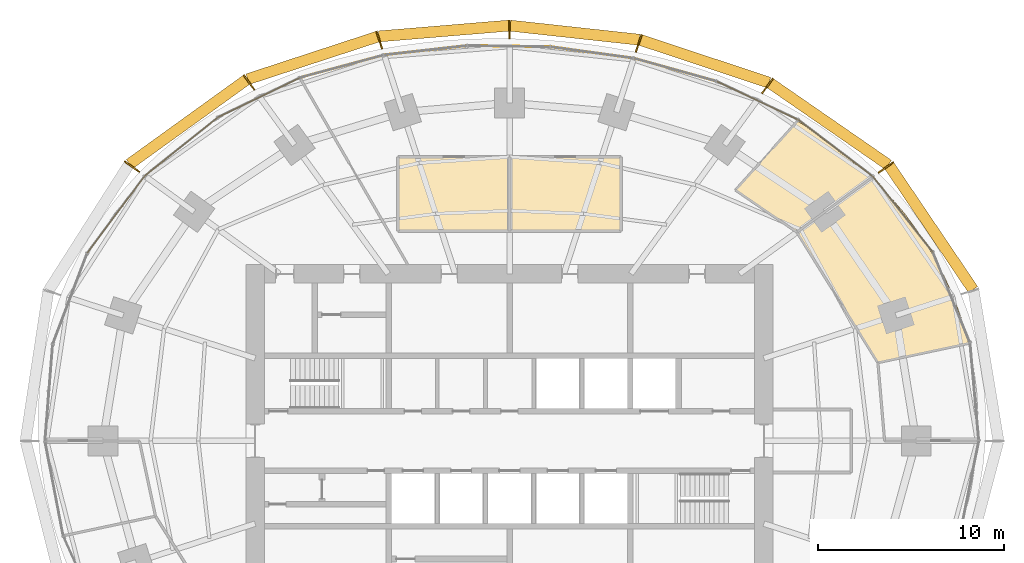
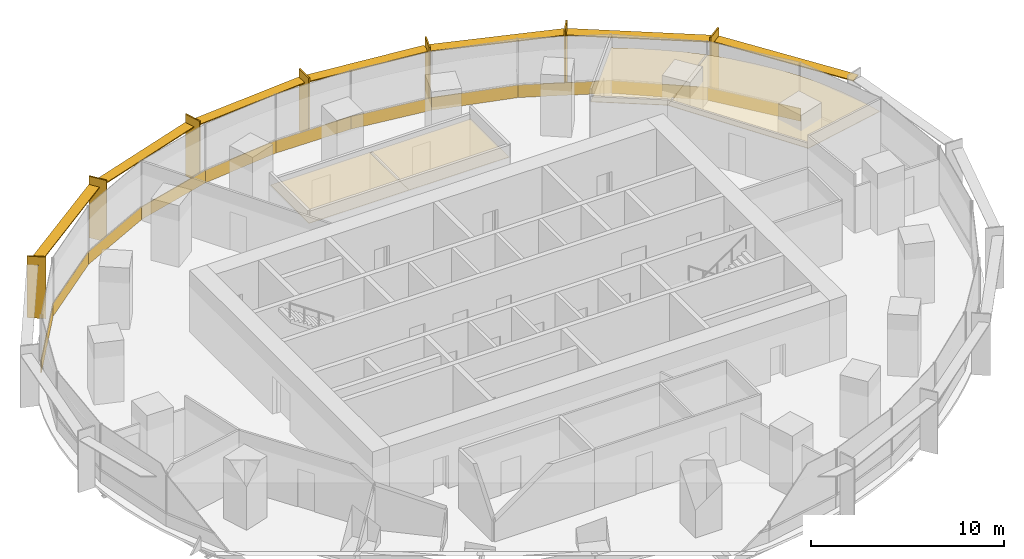
# One storey, part 14 of 14: 15 coverings, 14 shading devices.
"""IFC4 building model written with IfcOpenShell, lengths in metres."""

from ifc_helpers import new_model, si_unit, direction, frame, origin, origin_2d, place, context, subcontext, project, spatial, polyline, rectangle, outline, extrude, material, layer, layer_set, type_object, element, save


model = new_model("IFC4")

# Units and contexts
model_context = context("Model", 3, precision=1e-05, world=origin(), true_north=direction((0.0, 1.0)))
body_context = subcontext(model_context, "Body", "Model", "MODEL_VIEW")
ifc_project = project(units=[si_unit("LENGTHUNIT", "METRE"), si_unit("AREAUNIT", "SQUARE_METRE"), si_unit("VOLUMEUNIT", "CUBIC_METRE"), si_unit("PLANEANGLEUNIT", "RADIAN"), si_unit("MASSUNIT", "GRAM", prefix="KILO")], contexts=[model_context])

# Site, building, storey
site_placement = place(None, origin())
site = spatial("IfcSite", under=ifc_project, at=site_placement, CompositionType="ELEMENT")
building_placement = place(site_placement, origin())
building = spatial("IfcBuilding", under=site, at=building_placement, Name="Marramba Exchange Tower", CompositionType="ELEMENT")
storey_placement = place(building_placement, frame((0.0, 0.0, 104.10009765625)))
storey = spatial("IfcBuildingStorey", under=building, at=storey_placement, Name="L24", CompositionType="ELEMENT", Elevation=104.10009765625)

# Shading devices
ifc_material_1 = material(Name="Aluminium blade, timber-look bronze finish", Category="wood")
ifc_layer_1 = layer(ifc_material_1, 0.080078125)
ifc_layer_set_1 = layer_set([ifc_layer_1], Name="Floor-edge blade 1000x80")
shading_device_type_1 = type_object("IfcShadingDeviceType", Name="Floor-edge blade 1000x80", PredefinedType="USERDEFINED", material=ifc_layer_set_1)
for number, where, z_axis, x_axis, name in (
    (1, (20.27392578125, 14.72998046875, -0.16015625), (0.0, 0.0, 1.0), (0.809016994375, 0.587785252292, 0.0), "Floor-edge blade FB1 L24 TC03"),
    (2, (13.8955078125, 19.12548828125, -0.16015625), (0.0, 0.0, 1.0), (0.587785252292, 0.809016994375, 0.0), "Floor-edge blade FB1 L24 TC04"),
    (3, (6.958984375, 21.41748046875, -0.16015625), (0.0, 0.0, 1.0), (0.309016994375, 0.951056516295, 0.0), "Floor-edge blade FB1 L24 TC05"),
    (4, (0.0, 22.173095703125, -0.16015625), (0.0, 0.0, 1.0), (0.0, 1.0, 0.0), "Floor-edge blade FB1 L24 TC06"),
    (5, (-7.016845703125, 21.595703125, -0.16015625), (0.0, 0.0, 1.0), (-0.309016994375, 0.951056516295, 0.0), "Floor-edge blade FB1 L24 TC07"),
    (6, (-14.029296875, 19.3095703125, -0.16015625), (0.0, 0.0, 1.0), (-0.587785252292, 0.809016994375, 0.0), "Floor-edge blade FB1 L24 TC08"),
    (7, (-20.33642578125, 14.775390625, -0.16015625), (0.0, 0.0, 1.0), (-0.809016994375, 0.587785252292, 0.0), "Floor-edge blade FB1 L24 TC09"),
):
    element("IfcShadingDevice", number, at=place(storey_placement, frame(where, z_axis=z_axis, x_axis=x_axis)), inside=storey, type_object=shading_device_type_1, Name=name, ObjectType="FIN", PredefinedType="USERDEFINED", context=body_context, shape_type="SweptSolid", body=[
        extrude(rectangle(XDim=1.0, YDim=0.080078125, at=origin_2d()), origin(), (0.0, 0.0, 1.0), 3.89990234375),
    ])
ifc_material_2 = material(Name="Aluminium sunshade, bronze anodised", Category="aluminium")
ifc_layer_2 = layer(ifc_material_2, 0.06005859375)
ifc_layer_set_2 = layer_set([ifc_layer_2], Name="SUNSHADE blade 600x60")
shading_device_type_2 = type_object("IfcShadingDeviceType", Name="SUNSHADE blade 600x60", PredefinedType="USERDEFINED", material=ifc_layer_set_2)
shading_device_1_placement = place(storey_placement, frame((22.712158203125, 11.4833984375, 3.159912109375), z_axis=(0.0, 0.0, 1.0), x_axis=(-0.560441804861, 0.828193807852, 0.0)))
element("IfcShadingDevice", 8, at=shading_device_1_placement, inside=storey, type_object=shading_device_type_2, Name="Sunshade SS1 L24 bay 02", ObjectType="SUNSHADE", PredefinedType="USERDEFINED", context=body_context, shape_type="SweptSolid", body=[
    extrude(rectangle(XDim=8.0439453125, YDim=0.60009765625, at=origin_2d()), origin(), (0.0, 0.0, 1.0), 0.06005859375),
])
shading_device_2_placement = place(storey_placement, frame((17.224365234375, 17.0673828125, 3.159912109375), z_axis=(0.0, 0.0, 1.0), x_axis=(-0.822589509071, 0.568635647464, 0.0)))
element("IfcShadingDevice", 9, at=shading_device_2_placement, inside=storey, type_object=shading_device_type_2, Name="Sunshade SS1 L24 bay 03", ObjectType="SUNSHADE", PredefinedType="USERDEFINED", context=body_context, shape_type="SweptSolid", body=[
    extrude(rectangle(XDim=7.72802734375, YDim=0.60009765625, at=origin_2d()), origin(), (0.0, 0.0, 1.0), 0.06005859375),
])
shading_device_3_placement = place(storey_placement, frame((10.516845703125, 20.447509765625, 3.159912109375), z_axis=(0.0, 0.0, 1.0), x_axis=(-0.949101076178, 0.314971660944, 0.0)))
element("IfcShadingDevice", 10, at=shading_device_3_placement, inside=storey, type_object=shading_device_type_2, Name="Sunshade SS1 L24 bay 04", ObjectType="SUNSHADE", PredefinedType="USERDEFINED", context=body_context, shape_type="SweptSolid", body=[
    extrude(rectangle(XDim=7.287353515625, YDim=0.60009765625, at=origin_2d()), origin(), (0.0, 0.0, 1.0), 0.06005859375),
])
shading_device_4_placement = place(storey_placement, frame((3.510498046875, 21.990478515625, 3.159912109375), z_axis=(0.0, 0.0, 1.0), x_axis=(-0.994111392801, 0.108362995081, 0.0)))
element("IfcShadingDevice", 11, at=shading_device_4_placement, inside=storey, type_object=shading_device_type_2, Name="Sunshade SS1 L24 bay 05", ObjectType="SUNSHADE", PredefinedType="USERDEFINED", context=body_context, shape_type="SweptSolid", body=[
    extrude(rectangle(XDim=6.982421875, YDim=0.60009765625, at=origin_2d()), origin(), (0.0, 0.0, 1.0), 0.06005859375),
])
shading_device_5_placement = place(storey_placement, frame((-3.539306640625, 22.07958984375, 3.159912109375), z_axis=(0.0, 0.0, 1.0), x_axis=(-0.996577838412, -0.08265961521, 0.0)))
element("IfcShadingDevice", 12, at=shading_device_5_placement, inside=storey, type_object=shading_device_type_2, Name="Sunshade SS1 L24 bay 06", ObjectType="SUNSHADE", PredefinedType="USERDEFINED", context=body_context, shape_type="SweptSolid", body=[
    extrude(rectangle(XDim=7.02294921875, YDim=0.60009765625, at=origin_2d()), origin(), (0.0, 0.0, 1.0), 0.06005859375),
])
shading_device_6_placement = place(storey_placement, frame((-10.61279296875, 20.628662109375, 3.159912109375), z_axis=(0.0, 0.0, 1.0), x_axis=(-0.950345637432, -0.311196351865, 0.0)))
element("IfcShadingDevice", 13, at=shading_device_6_placement, inside=storey, type_object=shading_device_type_2, Name="Sunshade SS1 L24 bay 07", ObjectType="SUNSHADE", PredefinedType="USERDEFINED", context=body_context, shape_type="SweptSolid", body=[
    extrude(rectangle(XDim=7.357421875, YDim=0.60009765625, at=origin_2d()), origin(), (0.0, 0.0, 1.0), 0.06005859375),
])
shading_device_7_placement = place(storey_placement, frame((-17.322509765625, 17.18212890625, 3.159912109375), z_axis=(0.0, 0.0, 1.0), x_axis=(-0.811199164202, -0.584769968448, 0.0)))
element("IfcShadingDevice", 14, at=shading_device_7_placement, inside=storey, type_object=shading_device_type_2, Name="Sunshade SS1 L24 bay 08", ObjectType="SUNSHADE", PredefinedType="USERDEFINED", context=body_context, shape_type="SweptSolid", body=[
    extrude(rectangle(XDim=7.749755859375, YDim=0.60009765625, at=origin_2d()), origin(), (0.0, 0.0, 1.0), 0.06005859375),
])

# Coverings
ifc_material_3 = material(Name="Aluminium spandrel panel, bronze anodised, insulated", Category="aluminium")
ifc_layer_3 = layer(ifc_material_3, 0.050048828125)
ifc_layer_set_3 = layer_set([ifc_layer_3], Name="Spandrel panel 800")
covering_type_1 = type_object("IfcCoveringType", Name="Spandrel panel 800", PredefinedType="CLADDING", material=ifc_layer_set_3)
covering_1_placement = place(storey_placement, frame((21.20068359375, 12.194091796875, 0.0), z_axis=(0.0, 0.0, 1.0), x_axis=(-0.621311998758, 0.783563271344, 0.0)))
element("IfcCovering", 15, at=covering_1_placement, inside=storey, type_object=covering_type_1, Name="Spandrel panel SP1 L24 F03", PredefinedType="CLADDING", context=body_context, shape_type="SweptSolid", body=[
    extrude(rectangle(XDim=5.197021484375, YDim=0.050048828125, at=origin_2d()), origin(), (0.0, 0.0, 1.0), 0.800048828125),
])
covering_2_placement = place(storey_placement, frame((17.576171875, 15.759033203125, 0.0), z_axis=(0.0, 0.0, 1.0), x_axis=(-0.795971745176, 0.605333776426, 0.0)))
element("IfcCovering", 16, at=covering_2_placement, inside=storey, type_object=covering_type_1, Name="Spandrel panel SP1 L24 F04", PredefinedType="CLADDING", context=body_context, shape_type="SweptSolid", body=[
    extrude(rectangle(XDim=5.05078125, YDim=0.050048828125, at=origin_2d()), origin(), (0.0, 0.0, 1.0), 0.800048828125),
])
covering_3_placement = place(storey_placement, frame((13.371337890625, 18.322998046875, 0.0), z_axis=(0.0, 0.0, 1.0), x_axis=(-0.904403135206, 0.426678999987, 0.0)))
element("IfcCovering", 17, at=covering_3_placement, inside=storey, type_object=covering_type_1, Name="Spandrel panel SP1 L24 F05", PredefinedType="CLADDING", context=body_context, shape_type="SweptSolid", body=[
    extrude(rectangle(XDim=4.853271484375, YDim=0.050048828125, at=origin_2d()), origin(), (0.0, 0.0, 1.0), 0.800048828125),
])
covering_4_placement = place(storey_placement, frame((8.9365234375, 19.98388671875, 0.0), z_axis=(0.0, 0.0, 1.0), x_axis=(-0.963177847397, 0.268865085655, 0.0)))
element("IfcCovering", 18, at=covering_4_placement, inside=storey, type_object=covering_type_1, Name="Spandrel panel SP1 L24 F06", PredefinedType="CLADDING", context=body_context, shape_type="SweptSolid", body=[
    extrude(rectangle(XDim=4.651611328125, YDim=0.050048828125, at=origin_2d()), origin(), (0.0, 0.0, 1.0), 0.800048828125),
])
covering_5_placement = place(storey_placement, frame((4.46337890625, 20.915283203125, 0.0), z_axis=(0.0, 0.0, 1.0), x_axis=(-0.990738214019, 0.135785828725, 0.0)))
element("IfcCovering", 19, at=covering_5_placement, inside=storey, type_object=covering_type_1, Name="Spandrel panel SP1 L24 F07", PredefinedType="CLADDING", context=body_context, shape_type="SweptSolid", body=[
    extrude(rectangle(XDim=4.507568359375, YDim=0.050048828125, at=origin_2d()), origin(), (0.0, 0.0, 1.0), 0.800048828125),
])
covering_6_placement = place(storey_placement, frame((-0.003662109375, 21.25634765625, 0.0), z_axis=(0.0, 0.0, 1.0), x_axis=(-0.999875870008, 0.015755779107, 0.0)))
element("IfcCovering", 20, at=covering_6_placement, inside=storey, type_object=covering_type_1, Name="Spandrel panel SP1 L24 F08", PredefinedType="CLADDING", context=body_context, shape_type="SweptSolid", body=[
    extrude(rectangle(XDim=4.46875, YDim=0.050048828125, at=origin_2d()), origin(), (0.0, 0.0, 1.0), 0.800048828125),
])
covering_7_placement = place(storey_placement, frame((-4.49609375, 21.03955078125, 0.0), z_axis=(0.0, 0.0, 1.0), x_axis=(-0.993823395975, -0.110973229261, 0.0)))
element("IfcCovering", 21, at=covering_7_placement, inside=storey, type_object=covering_type_1, Name="Spandrel panel SP1 L24 F09", PredefinedType="CLADDING", context=body_context, shape_type="SweptSolid", body=[
    extrude(rectangle(XDim=4.54443359375, YDim=0.050048828125, at=origin_2d()), origin(), (0.0, 0.0, 1.0), 0.800048828125),
])
covering_8_placement = place(storey_placement, frame((-9.0244140625, 20.17529296875, 0.0), z_axis=(0.0, 0.0, 1.0), x_axis=(-0.965522049344, -0.26032128655, 0.0)))
element("IfcCovering", 22, at=covering_8_placement, inside=storey, type_object=covering_type_1, Name="Spandrel panel SP1 L24 F10", PredefinedType="CLADDING", context=body_context, shape_type="SweptSolid", body=[
    extrude(rectangle(XDim=4.70263671875, YDim=0.050048828125, at=origin_2d()), origin(), (0.0, 0.0, 1.0), 0.800048828125),
])
covering_9_placement = place(storey_placement, frame((-13.49609375, 18.498291015625, 0.0), z_axis=(0.0, 0.0, 1.0), x_axis=(-0.900223736484, -0.435427633794, 0.0)))
element("IfcCovering", 23, at=covering_9_placement, inside=storey, type_object=covering_type_1, Name="Spandrel panel SP1 L24 F11", PredefinedType="CLADDING", context=body_context, shape_type="SweptSolid", body=[
    extrude(rectangle(XDim=4.890625, YDim=0.050048828125, at=origin_2d()), origin(), (0.0, 0.0, 1.0), 0.800048828125),
])
covering_10_placement = place(storey_placement, frame((-17.673095703125, 15.854736328125, 0.0), z_axis=(0.0, 0.0, 1.0), x_axis=(-0.781178328369, -0.624307952285, 0.0)))
element("IfcCovering", 24, at=covering_10_placement, inside=storey, type_object=covering_type_1, Name="Spandrel panel SP1 L24 F12", PredefinedType="CLADDING", context=body_context, shape_type="SweptSolid", body=[
    extrude(rectangle(XDim=5.058349609375, YDim=0.050048828125, at=origin_2d()), origin(), (0.0, 0.0, 1.0), 0.800048828125),
])
covering_11_placement = place(storey_placement, frame((-21.19580078125, 12.20068359375, 0.0), z_axis=(0.0, 0.0, 1.0), x_axis=(-0.597703998161, -0.801716864349, 0.0)))
element("IfcCovering", 25, at=covering_11_placement, inside=storey, type_object=covering_type_1, Name="Spandrel panel SP1 L24 F13", PredefinedType="CLADDING", context=body_context, shape_type="SweptSolid", body=[
    extrude(rectangle(XDim=5.17626953125, YDim=0.050048828125, at=origin_2d()), origin(), (0.0, 0.0, 1.0), 0.800048828125),
])
ifc_material_4 = material(Name="Mineral fibre ceiling tiles", Category="gypsum")
ifc_layer_4 = layer(ifc_material_4, 0.02001953125)
ifc_layer_set_4 = layer_set([ifc_layer_4], Name="Suspended ceiling 20")
covering_type_2 = type_object("IfcCoveringType", Name="Suspended ceiling 20", PredefinedType="CEILING", material=ifc_layer_set_4)
covering_12_placement = place(storey_placement, frame((0.0, 0.0, 2.89990234375)))
element("IfcCovering", 26, at=covering_12_placement, inside=storey, type_object=covering_type_2, Name="Ceiling CL1 L24 Compliance Office 1", PredefinedType="CEILING", context=body_context, shape_type="SweptSolid", body=[
    extrude(outline(polyline([(16.563720703125, 16.563720703125), (17.5869140625, 15.835205078125), (18.5751953125, 15.041748046875), (19.521484375, 14.18310546875), (15.4765625, 11.244384765625), (12.166748046875, 13.512451171875), (15.512451171875, 17.228271484375), (16.563720703125, 16.563720703125)])), origin(), (0.0, 0.0, 1.0), 0.02001953125),
])
covering_13_placement = place(storey_placement, frame((0.0, 0.0, 2.89990234375)))
element("IfcCovering", 27, at=covering_13_placement, inside=storey, type_object=covering_type_2, Name="Ceiling CL1 L24 Compliance Office 3", PredefinedType="CEILING", context=body_context, shape_type="SweptSolid", body=[
    extrude(outline(polyline([(19.950927734375, 13.74169921875), (20.4189453125, 13.26025390625), (21.089599609375, 12.4736328125), (21.259765625, 12.2744140625), (22.03662109375, 11.228271484375), (22.7421875, 10.12548828125), (22.854736328125, 9.91845703125), (23.3701171875, 8.970947265625), (23.9140625, 7.77001953125), (24.368896484375, 6.529541015625), (24.510009765625, 6.03271484375), (24.73046875, 5.256591796875), (19.839599609375, 4.217041015625), (15.4765625, 11.244384765625), (19.521484375, 14.18310546875), (19.950927734375, 13.74169921875)])), origin(), (0.0, 0.0, 1.0), 0.02001953125),
])
covering_14_placement = place(storey_placement, frame((0.0, 0.0, 2.89990234375)))
element("IfcCovering", 28, at=covering_14_placement, inside=storey, type_object=covering_type_2, Name="Ceiling CL1 L24 Meeting Room 1", PredefinedType="CEILING", context=body_context, shape_type="SweptSolid", body=[
    extrude(outline(polyline([(0.0, 11.300048828125), (-6.0, 11.300048828125), (-6.0, 15.300048828125), (0.0, 15.300048828125), (0.0, 11.300048828125)])), origin(), (0.0, 0.0, 1.0), 0.02001953125),
])
covering_15_placement = place(storey_placement, frame((0.0, 0.0, 2.89990234375)))
element("IfcCovering", 29, at=covering_15_placement, inside=storey, type_object=covering_type_2, Name="Ceiling CL1 L24 Meeting Room 2", PredefinedType="CEILING", context=body_context, shape_type="SweptSolid", body=[
    extrude(outline(polyline([(6.0, 11.300048828125), (0.0, 11.300048828125), (0.0, 15.300048828125), (6.0, 15.300048828125), (6.0, 11.300048828125)])), origin(), (0.0, 0.0, 1.0), 0.02001953125),
])

save(model, "model.ifc")
